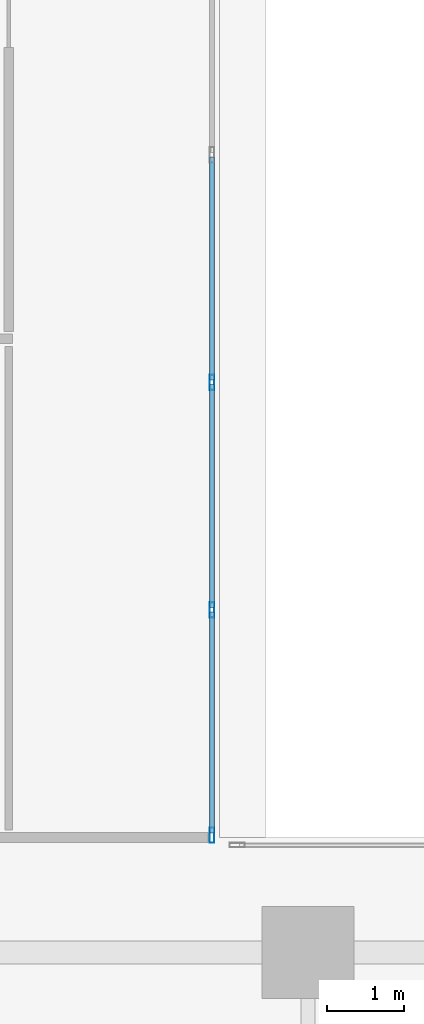
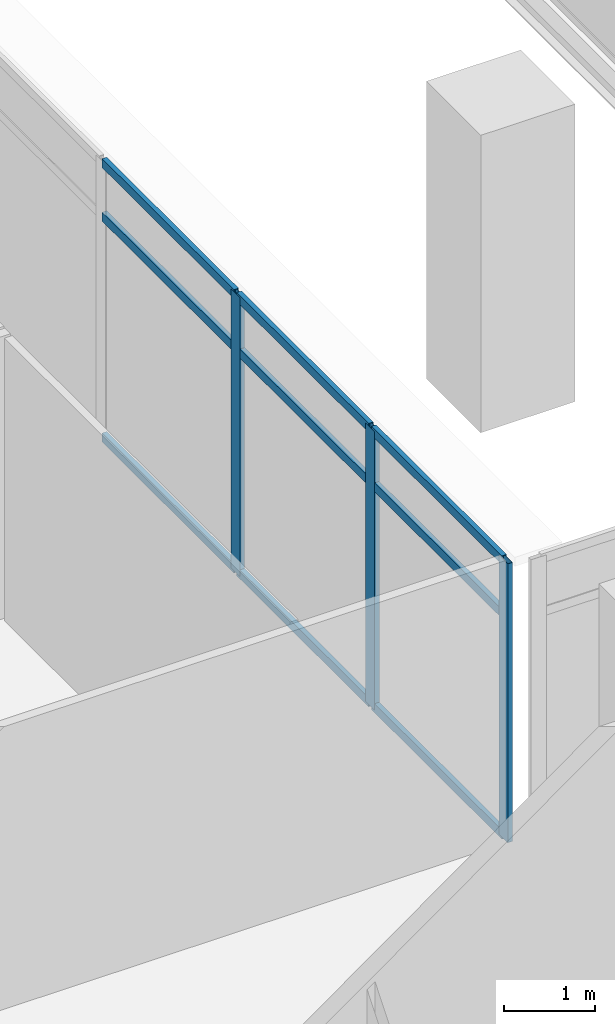
# One storey, part 20 of 40: 12 members, 1 element without a shape of its own.
"""IFC4 building model written with IfcOpenShell, lengths in metres."""

from ifc_helpers import new_model, si_unit, direction, frame, origin, origin_2d, place, context, subcontext, project, spatial, hollow_rectangle, extrude, source, transform, mapped, material, material_profile, profile_set, type_object, element, aggregate, save


model = new_model("IFC4")

# Units and contexts
model_context = context("Model", 3, precision=1e-05, world=origin(), true_north=direction((0.0, 1.0)))
body_context = subcontext(model_context, "Body", "Model", "MODEL_VIEW")
ifc_project = project(units=[si_unit("LENGTHUNIT", "METRE"), si_unit("AREAUNIT", "SQUARE_METRE"), si_unit("VOLUMEUNIT", "CUBIC_METRE"), si_unit("PLANEANGLEUNIT", "RADIAN"), si_unit("MASSUNIT", "GRAM", prefix="KILO")], contexts=[model_context])

# Site, building, storey
site_placement = place(None, origin())
site = spatial("IfcSite", under=ifc_project, at=site_placement, CompositionType="ELEMENT")
building_placement = place(site_placement, origin())
building = spatial("IfcBuilding", under=site, at=building_placement, Name="Khomas Fold Tower", CompositionType="ELEMENT")
storey_placement = place(building_placement, frame((0.0, 0.0, 180.699951171875)))
storey = spatial("IfcBuildingStorey", under=building, at=storey_placement, Name="L39", CompositionType="ELEMENT", Elevation=180.699951171875)

# Curtain wall, members
ifc_material_1 = material(Name="Aluminium framed double glazing", Category="aluminium")
curtain_wall_type = type_object("IfcCurtainWallType", Name="Notch glazing GN-CW", PredefinedType="NOTDEFINED", material=ifc_material_1)
curtain_wall_placement = place(storey_placement, origin())
curtain_wall = element("IfcCurtainWall", 1, at=curtain_wall_placement, inside=storey, type_object=curtain_wall_type, Name="Notch glazing run", PredefinedType="NOTDEFINED")
ifc_material_2 = material(Name="Aluminium", Category="aluminium")
ifc_material_profile_1 = material_profile(ifc_material_2, hollow_rectangle(XDim=0.06005859375, YDim=0.1201171875, WallThickness=0.00390625, at=origin_2d()), Name="Notch glazing transom GN-CW-T")
ifc_profile_set_1 = profile_set([ifc_material_profile_1], Name="Aluminium")
member_type_1 = type_object("IfcMemberType", Name="Notch glazing transom GN-CW-T", PredefinedType="USERDEFINED", material=ifc_profile_set_1)
shared_shape_1 = source(origin(), body_context, "Body", "SweptSolid", [
    extrude(hollow_rectangle(XDim=0.06005859375, YDim=0.1201171875, WallThickness=0.00390625, at=origin_2d()), origin(), (0.0, 0.0, 1.0), 2.876708984375),
])
member_1_placement = place(storey_placement, frame((33.25, 33.06005859375, 0.030029296875), z_axis=(0.0, 1.0, 0.0), x_axis=(-1.0, 0.0, 0.0)))
member_1 = element("IfcMember", 2, at=member_1_placement, type_object=member_type_1, Name="GN-CW transom 1.1", ObjectType="TRANSOM", PredefinedType="USERDEFINED", context=body_context, shape_type="MappedRepresentation", body=[
    mapped(shared_shape_1, transform((0.0, 0.0, 0.0))),
])
member_2_placement = place(storey_placement, frame((33.25, 33.06005859375, 3.0), z_axis=(0.0, 1.0, 0.0), x_axis=(-1.0, 0.0, 0.0)))
member_2 = element("IfcMember", 3, at=member_2_placement, type_object=member_type_1, Name="GN-CW transom 1.2", ObjectType="TRANSOM", PredefinedType="USERDEFINED", context=body_context, shape_type="MappedRepresentation", body=[
    mapped(shared_shape_1, transform((0.0, 0.0, 0.0))),
])
member_3_placement = place(storey_placement, frame((33.25, 33.06005859375, 3.719970703125), z_axis=(0.0, 1.0, 0.0), x_axis=(-1.0, 0.0, 0.0)))
member_3 = element("IfcMember", 4, at=member_3_placement, type_object=member_type_1, Name="GN-CW transom 1.3", ObjectType="TRANSOM", PredefinedType="USERDEFINED", context=body_context, shape_type="MappedRepresentation", body=[
    mapped(shared_shape_1, transform((0.0, 0.0, 0.0))),
])
shared_shape_2 = source(origin(), body_context, "Body", "SweptSolid", [
    extrude(hollow_rectangle(XDim=0.06005859375, YDim=0.1201171875, WallThickness=0.00390625, at=origin_2d()), origin(), (0.0, 0.0, 1.0), 2.90673828125),
])
member_4_placement = place(storey_placement, frame((33.25, 35.99658203125, 0.030029296875), z_axis=(0.0, 1.0, 0.0), x_axis=(-1.0, 0.0, 0.0)))
member_4 = element("IfcMember", 5, at=member_4_placement, type_object=member_type_1, Name="GN-CW transom 2.1", ObjectType="TRANSOM", PredefinedType="USERDEFINED", context=body_context, shape_type="MappedRepresentation", body=[
    mapped(shared_shape_2, transform((0.0, 0.0, 0.0))),
])
member_5_placement = place(storey_placement, frame((33.25, 35.99658203125, 3.0), z_axis=(0.0, 1.0, 0.0), x_axis=(-1.0, 0.0, 0.0)))
member_5 = element("IfcMember", 6, at=member_5_placement, type_object=member_type_1, Name="GN-CW transom 2.2", ObjectType="TRANSOM", PredefinedType="USERDEFINED", context=body_context, shape_type="MappedRepresentation", body=[
    mapped(shared_shape_2, transform((0.0, 0.0, 0.0))),
])
member_6_placement = place(storey_placement, frame((33.25, 35.99658203125, 3.719970703125), z_axis=(0.0, 1.0, 0.0), x_axis=(-1.0, 0.0, 0.0)))
member_6 = element("IfcMember", 7, at=member_6_placement, type_object=member_type_1, Name="GN-CW transom 2.3", ObjectType="TRANSOM", PredefinedType="USERDEFINED", context=body_context, shape_type="MappedRepresentation", body=[
    mapped(shared_shape_2, transform((0.0, 0.0, 0.0))),
])
member_7_placement = place(storey_placement, frame((33.25, 38.96337890625, 0.030029296875), z_axis=(0.0, 1.0, 0.0), x_axis=(-1.0, 0.0, 0.0)))
member_7 = element("IfcMember", 8, at=member_7_placement, type_object=member_type_1, Name="GN-CW transom 3.1", ObjectType="TRANSOM", PredefinedType="USERDEFINED", context=body_context, shape_type="MappedRepresentation", body=[
    mapped(shared_shape_2, transform((0.0, 0.0, 0.0))),
])
member_8_placement = place(storey_placement, frame((33.25, 38.96337890625, 3.0), z_axis=(0.0, 1.0, 0.0), x_axis=(-1.0, 0.0, 0.0)))
member_8 = element("IfcMember", 9, at=member_8_placement, type_object=member_type_1, Name="GN-CW transom 3.2", ObjectType="TRANSOM", PredefinedType="USERDEFINED", context=body_context, shape_type="MappedRepresentation", body=[
    mapped(shared_shape_2, transform((0.0, 0.0, 0.0))),
])
member_9_placement = place(storey_placement, frame((33.25, 38.96337890625, 3.719970703125), z_axis=(0.0, 1.0, 0.0), x_axis=(-1.0, 0.0, 0.0)))
member_9 = element("IfcMember", 10, at=member_9_placement, type_object=member_type_1, Name="GN-CW transom 3.3", ObjectType="TRANSOM", PredefinedType="USERDEFINED", context=body_context, shape_type="MappedRepresentation", body=[
    mapped(shared_shape_2, transform((0.0, 0.0, 0.0))),
])
ifc_material_3 = material(Name="Aluminium", Category="aluminium")
ifc_material_profile_2 = material_profile(ifc_material_3, hollow_rectangle(XDim=0.06005859375, YDim=0.199951171875, WallThickness=0.00390625, at=origin_2d()), Name="Notch glazing mullion GN-CW-M")
ifc_profile_set_2 = profile_set([ifc_material_profile_2], Name="Aluminium")
member_type_2 = type_object("IfcMemberType", Name="Notch glazing mullion GN-CW-M", PredefinedType="MULLION", material=ifc_profile_set_2)
shared_shape_3 = source(origin(), body_context, "Body", "SweptSolid", [
    extrude(hollow_rectangle(XDim=0.06005859375, YDim=0.199951171875, WallThickness=0.00390625, at=origin_2d()), origin(), (0.0, 0.0, 1.0), 3.75),
])
member_10_placement = place(storey_placement, frame((33.25, 33.030029296875, 0.0), z_axis=(0.0, 0.0, 1.0), x_axis=(-1.0, 0.0, 0.0)))
member_10 = element("IfcMember", 11, at=member_10_placement, type_object=member_type_2, Name="GN-CW mullion 1", PredefinedType="MULLION", context=body_context, shape_type="MappedRepresentation", body=[
    mapped(shared_shape_3, transform((0.0, 0.0, 0.0))),
])
member_11_placement = place(storey_placement, frame((33.25, 35.966552734375, 0.0), z_axis=(0.0, 0.0, 1.0), x_axis=(-1.0, 0.0, 0.0)))
member_11 = element("IfcMember", 12, at=member_11_placement, type_object=member_type_2, Name="GN-CW mullion 2", PredefinedType="MULLION", context=body_context, shape_type="MappedRepresentation", body=[
    mapped(shared_shape_3, transform((0.0, 0.0, 0.0))),
])
member_12_placement = place(storey_placement, frame((33.25, 38.933349609375, 0.0), z_axis=(0.0, 0.0, 1.0), x_axis=(-1.0, 0.0, 0.0)))
member_12 = element("IfcMember", 13, at=member_12_placement, type_object=member_type_2, Name="GN-CW mullion 3", PredefinedType="MULLION", context=body_context, shape_type="MappedRepresentation", body=[
    mapped(shared_shape_3, transform((0.0, 0.0, 0.0))),
])
aggregate(curtain_wall, [member_10, member_11, member_12, member_1, member_2, member_3, member_4, member_5, member_6, member_7, member_8, member_9])

save(model, "model.ifc")
